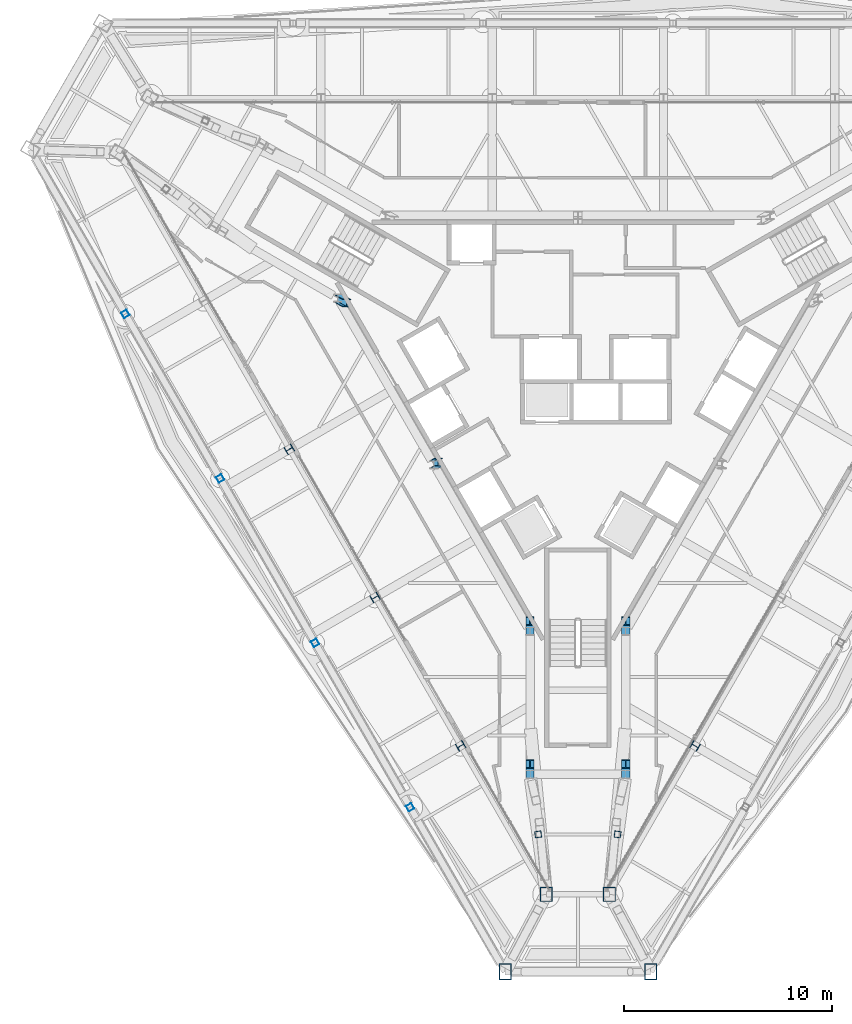
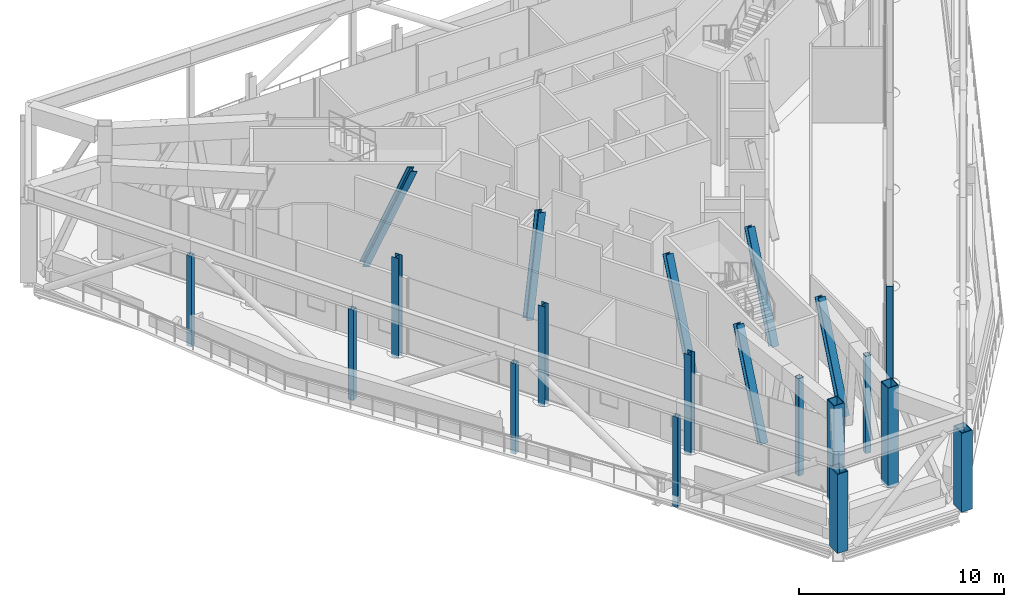
# One storey, part 1 of 25: 20 columns.
"""IFC4 building model written with IfcOpenShell, lengths in metres."""

from ifc_helpers import new_model, si_unit, direction, frame, origin, origin_2d, place, context, subcontext, project, spatial, hollow_rectangle, i_section, extrude, material, material_profile, profile_set, type_object, element, save


model = new_model("IFC4")

# Units and contexts
model_context = context("Model", 3, precision=1e-05, world=origin(), true_north=direction((0.0, 1.0)))
body_context = subcontext(model_context, "Body", "Model", "MODEL_VIEW")
ifc_project = project(units=[si_unit("LENGTHUNIT", "METRE"), si_unit("AREAUNIT", "SQUARE_METRE"), si_unit("VOLUMEUNIT", "CUBIC_METRE"), si_unit("PLANEANGLEUNIT", "RADIAN"), si_unit("MASSUNIT", "GRAM", prefix="KILO")], contexts=[model_context])

# Site, building, storey
site_placement = place(None, origin())
site = spatial("IfcSite", under=ifc_project, at=site_placement, CompositionType="ELEMENT")
building_placement = place(site_placement, origin())
building = spatial("IfcBuilding", under=site, at=building_placement, Name="Verrane Prism Tower", CompositionType="ELEMENT")
storey_placement = place(building_placement, frame((0.0, 0.0, 258.199951171875)))
storey = spatial("IfcBuildingStorey", under=building, at=storey_placement, Name="L65", CompositionType="ELEMENT", Elevation=258.199951171875)

# Columns
ifc_material_1 = material(Name="Steel A500 Grade C", Category="steel")
ifc_material_profile_1 = material_profile(ifc_material_1, hollow_rectangle(XDim=0.3046875, YDim=0.3046875, WallThickness=0.0126953125, InnerFilletRadius=0.00634765625, OuterFilletRadius=0.01904296875, at=origin_2d()), Name="HSS12x12x1/2")
ifc_profile_set_1 = profile_set([ifc_material_profile_1], Name="Steel A500 Grade C")
column_type_1 = type_object("IfcColumnType", Name="Belt truss post HSS12x12x1/2", PredefinedType="COLUMN", material=ifc_profile_set_1)
for number, where, z_axis, x_axis, name in (
    (1, (-21.77001953125, 3.25, -0.68994140625), (0.0, 0.0, 1.0), (-0.5, 0.866025403784, 0.0), "Belt truss post L65"),
    (2, (-17.2099609375, -4.659912109375, -0.68994140625), (0.0, 0.0, 1.0), (-0.5, 0.866025403784, 0.0), "Belt truss post L65"),
    (3, (-12.639892578125, -12.570068359375, -0.68994140625), (0.0, 0.0, 1.0), (-0.5, 0.866025403784, 0.0), "Belt truss post L65"),
    (4, (-8.070068359375, -20.47998046875, -0.68994140625), (0.0, 0.0, 1.0), (-0.5, 0.866025403784, 0.0), "Belt truss post L65"),
):
    element("IfcColumn", number, at=place(storey_placement, frame(where, z_axis=z_axis, x_axis=x_axis)), inside=storey, type_object=column_type_1, Name=name, PredefinedType="COLUMN", context=body_context, shape_type="SweptSolid", body=[
        extrude(hollow_rectangle(XDim=0.3046875, YDim=0.3046875, WallThickness=0.0126953125, InnerFilletRadius=0.00634765625, OuterFilletRadius=0.01904296875, at=origin_2d()), origin(), (0.0, 0.0, 1.0), 5.39990234375),
    ])
ifc_material_2 = material(Name="Steel A992", Category="steel")
ifc_material_profile_2 = material_profile(ifc_material_2, i_section(OverallWidth=0.4013671875, OverallDepth=0.398681640625, WebThickness=0.02490234375, FlangeThickness=0.03955078125, FilletRadius=0.01513671875, at=origin_2d()), Name="W14x211")
ifc_profile_set_2 = profile_set([ifc_material_profile_2], Name="Steel A992")
column_type_2 = type_object("IfcColumnType", Name="Core corner column W14x211", PredefinedType="COLUMN", material=ifc_profile_set_2)
for number, where, z_axis, x_axis, name in (
    (5, (-2.300048828125, -18.87939453125, 0.050048828125), (0.0, 0.382357618839, 0.924014421595), (-1.0, 0.0, 0.0), "Core corner column CK-Sm L65"),
    (6, (2.300048828125, -18.87939453125, 0.050048828125), (0.0, 0.382357618839, 0.924014421595), (-1.0, 0.0, 0.0), "Core corner column CK-Sp L65"),
):
    element("IfcColumn", number, at=place(storey_placement, frame(where, z_axis=z_axis, x_axis=x_axis)), inside=storey, type_object=column_type_2, Name=name, PredefinedType="COLUMN", context=body_context, shape_type="SweptSolid", body=[
        extrude(i_section(OverallWidth=0.4013671875, OverallDepth=0.398681640625, WebThickness=0.02490234375, FlangeThickness=0.03955078125, FilletRadius=0.01513671875, at=origin_2d()), origin(), (0.0, 0.0, 1.0), 6.168701171875),
    ])
ifc_material_3 = material(Name="Steel A992", Category="steel")
ifc_material_profile_3 = material_profile(ifc_material_3, i_section(OverallWidth=0.398681640625, OverallDepth=0.385986328125, WebThickness=0.02099609375, FlangeThickness=0.033203125, FilletRadius=0.01513671875, at=origin_2d()), Name="W14x176")
ifc_profile_set_3 = profile_set([ifc_material_profile_3], Name="Steel A992")
column_type_3 = type_object("IfcColumnType", Name="Core side column W14x176", PredefinedType="COLUMN", material=ifc_profile_set_3)
column_1_placement = place(storey_placement, frame((-11.53662109375, 4.006591796875, 0.06494140625), z_axis=(0.331310883947, -0.191156195649, 0.923954764609), x_axis=(0.941310345781, -3.9186308e-05, -0.337542340145)))
element("IfcColumn", 7, at=column_1_placement, inside=storey, type_object=column_type_3, Name="Core side column CC-NWp L65", PredefinedType="COLUMN", context=body_context, shape_type="SweptSolid", body=[
    extrude(i_section(OverallWidth=0.398681640625, OverallDepth=0.385986328125, WebThickness=0.02099609375, FlangeThickness=0.033203125, FilletRadius=0.01513671875, at=origin_2d()), origin(), (0.0, 0.0, 1.0), 6.136962890625),
])
column_2_placement = place(storey_placement, frame((-6.9228515625, -3.995849609375, 0.0400390625), z_axis=(0.175584774284, 0.101313376069, 0.979237247489), x_axis=(0.984300834882, 5.9817855e-05, -0.176498903317)))
element("IfcColumn", 8, at=column_2_placement, inside=storey, type_object=column_type_3, Name="Core side column CC-SW0 L65", PredefinedType="COLUMN", context=body_context, shape_type="SweptSolid", body=[
    extrude(i_section(OverallWidth=0.398681640625, OverallDepth=0.385986328125, WebThickness=0.02099609375, FlangeThickness=0.033203125, FilletRadius=0.01513671875, at=origin_2d()), origin(), (0.0, 0.0, 1.0), 5.84130859375),
])
for number, where, z_axis, x_axis, name in (
    (9, (-2.300048828125, -11.999267578125, 0.050048828125), (0.0, 0.382357618839, 0.924014421595), (1.0, 0.0, 0.0), "Core side column CC-Sm L65"),
    (10, (2.300048828125, -11.999267578125, 0.050048828125), (0.0, 0.382357618839, 0.924014421595), (1.0, 0.0, 0.0), "Core side column CC-Sp L65"),
):
    element("IfcColumn", number, at=place(storey_placement, frame(where, z_axis=z_axis, x_axis=x_axis)), inside=storey, type_object=column_type_3, Name=name, PredefinedType="COLUMN", context=body_context, shape_type="SweptSolid", body=[
        extrude(i_section(OverallWidth=0.398681640625, OverallDepth=0.385986328125, WebThickness=0.02099609375, FlangeThickness=0.033203125, FilletRadius=0.01513671875, at=origin_2d()), origin(), (0.0, 0.0, 1.0), 6.168701171875),
    ])
ifc_material_4 = material(Name="Steel A572 Grade 50", Category="steel")
ifc_material_profile_4 = material_profile(ifc_material_4, hollow_rectangle(XDim=0.60009765625, YDim=0.699951171875, WallThickness=0.0400390625, at=origin_2d()), Name="BOX 700x600x40")
ifc_profile_set_4 = profile_set([ifc_material_profile_4], Name="Steel A572 Grade 50")
column_type_4 = type_object("IfcColumnType", Name="Megacolumn BOX 700x600x40", PredefinedType="COLUMN", material=ifc_profile_set_4)
for number, where, z_axis, x_axis, name in (
    (11, (-1.52001953125, -24.669921875, -0.159912109375), (0.0, 0.0, 1.0), (-1.0, 0.0, 0.0), "Megacolumn MC-S.a L65"),
    (12, (1.52001953125, -24.669921875, -0.159912109375), (0.0, 0.0, 1.0), (-1.0, 0.0, 0.0), "Megacolumn MC-S.b L65"),
):
    element("IfcColumn", number, at=place(storey_placement, frame(where, z_axis=z_axis, x_axis=x_axis)), inside=storey, type_object=column_type_4, Name=name, PredefinedType="COLUMN", context=body_context, shape_type="SweptSolid", body=[
        extrude(hollow_rectangle(XDim=0.60009765625, YDim=0.699951171875, WallThickness=0.0400390625, at=origin_2d()), origin(), (0.0, 0.0, 1.0), 5.9599609375),
    ])
ifc_material_5 = material(Name="Steel A572 Grade 50", Category="steel")
ifc_material_profile_5 = material_profile(ifc_material_5, hollow_rectangle(XDim=0.60009765625, YDim=0.800048828125, WallThickness=0.050048828125, at=origin_2d()), Name="BOX 800x600x50")
ifc_profile_set_5 = profile_set([ifc_material_profile_5], Name="Steel A572 Grade 50")
column_type_5 = type_object("IfcColumnType", Name="Megacolumn BOX 800x600x50", PredefinedType="COLUMN", material=ifc_profile_set_5)
for number, where, z_axis, x_axis, name in (
    (13, (-3.5, -28.389892578125, 0.0), (0.0, 0.0, 1.0), (-1.0, 0.0, 0.0), "Megacolumn MC-S.a@out L65"),
    (14, (3.5, -28.389892578125, 0.0), (0.0, 0.0, 1.0), (-1.0, 0.0, 0.0), "Megacolumn MC-S.b@out L65"),
):
    element("IfcColumn", number, at=place(storey_placement, frame(where, z_axis=z_axis, x_axis=x_axis)), inside=storey, type_object=column_type_5, Name=name, PredefinedType="COLUMN", context=body_context, shape_type="SweptSolid", body=[
        extrude(hollow_rectangle(XDim=0.60009765625, YDim=0.800048828125, WallThickness=0.050048828125, at=origin_2d()), origin(), (0.0, 0.0, 1.0), 4.7099609375),
    ])
ifc_material_6 = material(Name="Steel A500 Grade C", Category="steel")
ifc_material_profile_6 = material_profile(ifc_material_6, hollow_rectangle(XDim=0.3046875, YDim=0.3046875, WallThickness=0.0126953125, InnerFilletRadius=0.00634765625, OuterFilletRadius=0.01904296875, at=origin_2d()), Name="HSS12x12x1/2")
ifc_profile_set_6 = profile_set([ifc_material_profile_6], Name="Steel A500 Grade C")
column_type_6 = type_object("IfcColumnType", Name="Outrigger truss post HSS12x12x1/2", PredefinedType="COLUMN", material=ifc_profile_set_6)
for number, where, z_axis, x_axis, name in (
    (15, (-1.909912109375, -21.784912109375, -0.159912109375), (0.0, 0.0, 1.0), (0.99098623951, 0.133963700688, 0.0), "Outrigger truss post L65"),
    (16, (1.909912109375, -21.784912109375, -0.159912109375), (0.0, 0.0, 1.0), (0.99098623951, -0.133963700688, 0.0), "Outrigger truss post L65"),
):
    element("IfcColumn", number, at=place(storey_placement, frame(where, z_axis=z_axis, x_axis=x_axis)), inside=storey, type_object=column_type_6, Name=name, PredefinedType="COLUMN", context=body_context, shape_type="SweptSolid", body=[
        extrude(hollow_rectangle(XDim=0.3046875, YDim=0.3046875, WallThickness=0.0126953125, InnerFilletRadius=0.00634765625, OuterFilletRadius=0.01904296875, at=origin_2d()), origin(), (0.0, 0.0, 1.0), 5.800048828125),
    ])
ifc_material_7 = material(Name="Steel A992", Category="steel")
ifc_material_profile_7 = material_profile(ifc_material_7, i_section(OverallWidth=0.393798828125, OverallDepth=0.3759765625, WebThickness=0.017333984375, FlangeThickness=0.027587890625, FilletRadius=0.01513671875, at=origin_2d()), Name="W14x145")
ifc_profile_set_7 = profile_set([ifc_material_profile_7], Name="Steel A992")
column_type_7 = type_object("IfcColumnType", Name="Perimeter column W14x145", PredefinedType="COLUMN", material=ifc_profile_set_7)
for number, where, z_axis, x_axis, name in (
    (17, (-13.8798828125, -3.260009765625, -0.159912109375), (0.0, 0.0, 1.0), (-0.5, 0.866025403784, 0.0), "Perimeter column PC-SW2 L65"),
    (18, (-9.760009765625, -10.389892578125, -0.159912109375), (0.0, 0.0, 1.0), (-0.5, 0.866025403784, 0.0), "Perimeter column PC-SW3 L65"),
    (19, (-5.639892578125, -17.530029296875, -0.159912109375), (0.0, 0.0, 1.0), (-0.5, 0.866025403784, 0.0), "Perimeter column PC-SW4 L65"),
    (20, (5.639892578125, -17.530029296875, -0.159912109375), (0.0, 0.0, 1.0), (-0.5, -0.866025403784, 0.0), "Perimeter column PC-SE1 L65"),
):
    element("IfcColumn", number, at=place(storey_placement, frame(where, z_axis=z_axis, x_axis=x_axis)), inside=storey, type_object=column_type_7, Name=name, PredefinedType="COLUMN", context=body_context, shape_type="SweptSolid", body=[
        extrude(i_section(OverallWidth=0.393798828125, OverallDepth=0.3759765625, WebThickness=0.017333984375, FlangeThickness=0.027587890625, FilletRadius=0.01513671875, at=origin_2d()), origin(), (0.0, 0.0, 1.0), 5.9599609375),
    ])

save(model, "model.ifc")
